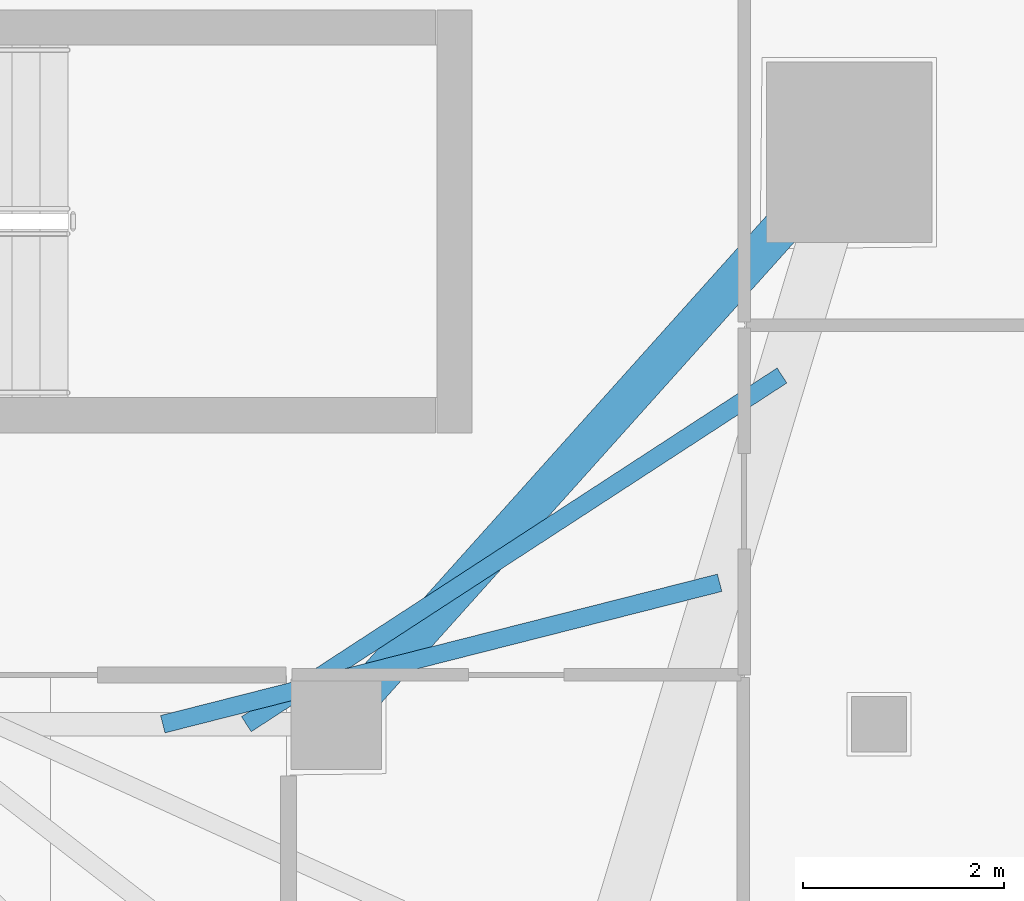
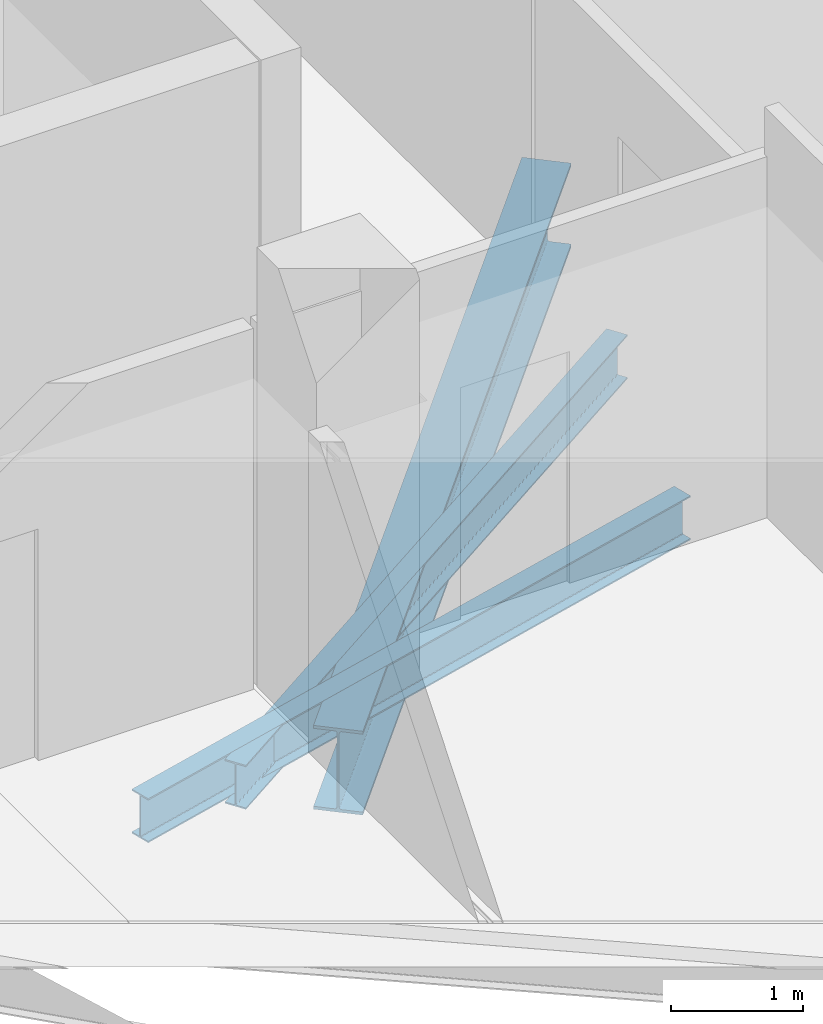
# One storey, part 13 of 36: 3 beams.
"""IFC4 building model written with IfcOpenShell, lengths in metres."""

from ifc_helpers import new_model, si_unit, direction, frame, origin, origin_2d, place, context, subcontext, project, spatial, i_section, extrude, material, material_profile, profile_set, type_object, element, save


model = new_model("IFC4")

# Units and contexts
model_context = context("Model", 3, precision=1e-05, world=origin(), true_north=direction((0.0, 1.0)))
body_context = subcontext(model_context, "Body", "Model", "MODEL_VIEW")
ifc_project = project(units=[si_unit("LENGTHUNIT", "METRE"), si_unit("AREAUNIT", "SQUARE_METRE"), si_unit("VOLUMEUNIT", "CUBIC_METRE"), si_unit("PLANEANGLEUNIT", "RADIAN"), si_unit("MASSUNIT", "GRAM", prefix="KILO")], contexts=[model_context])

# Site, building, storey
site_placement = place(None, origin())
site = spatial("IfcSite", under=ifc_project, at=site_placement, CompositionType="ELEMENT")
building_placement = place(site_placement, origin())
building = spatial("IfcBuilding", under=site, at=building_placement, Name="Qorvath Tower", CompositionType="ELEMENT")
storey_placement = place(building_placement, frame((0.0, 0.0, 229.35009765625)))
storey = spatial("IfcBuildingStorey", under=building, at=storey_placement, Name="L53", CompositionType="ELEMENT", Elevation=229.35009765625)

# Beams
ifc_material_1 = material(Name="Steel ASTM A992 Grade 50", Category="steel")
ifc_material_profile_1 = material_profile(ifc_material_1, i_section(OverallWidth=0.381103515625, OverallDepth=0.77294921875, WebThickness=0.0166015625, FlangeThickness=0.027099609375, FilletRadius=0.01904296875, at=origin_2d()), Name="W30x173")
ifc_profile_set_1 = profile_set([ifc_material_profile_1], Name="Steel ASTM A992 Grade 50")
beam_type_1 = type_object("IfcBeamType", Name="BM-FG3", PredefinedType="BEAM", material=ifc_profile_set_1)
beam_1_placement = place(storey_placement, frame((-17.199951171875, -11.449951171875, -0.656494140625), z_axis=(0.667543184261, 0.744571082669, 0.0), x_axis=(-0.744571082669, 0.667543184261, 0.0)))
element("IfcBeam", 1, at=beam_1_placement, inside=storey, type_object=beam_type_1, Name="Radial Floor Girder CC3-MC4 L53", PredefinedType="BEAM", context=body_context, shape_type="SweptSolid", body=[
    extrude(i_section(OverallWidth=0.381103515625, OverallDepth=0.77294921875, WebThickness=0.0166015625, FlangeThickness=0.027099609375, FilletRadius=0.01904296875, at=origin_2d()), origin(), (0.0, 0.0, 1.0), 7.644775390625),
])
ifc_material_2 = material(Name="Steel ASTM A992 Grade 50", Category="steel")
ifc_material_profile_2 = material_profile(ifc_material_2, i_section(OverallWidth=0.177978515625, OverallDepth=0.406005859375, WebThickness=0.0078125, FlangeThickness=0.0126953125, FilletRadius=0.010986328125, at=origin_2d()), Name="W16x40")
ifc_profile_set_2 = profile_set([ifc_material_profile_2], Name="Steel ASTM A992 Grade 50")
beam_type_2 = type_object("IfcBeamType", Name="BM-FJ3", PredefinedType="JOIST", material=ifc_profile_set_2)
beam_2_placement = place(storey_placement, frame((-18.095947265625, -11.449951171875, -0.472900390625), z_axis=(0.838041756057, 0.545606098853, 0.0), x_axis=(-0.545606098853, 0.838041756057, 0.0)))
element("IfcBeam", 2, at=beam_2_placement, inside=storey, type_object=beam_type_2, Name="Composite Floor Joist SE1 L53", PredefinedType="JOIST", context=body_context, shape_type="SweptSolid", body=[
    extrude(i_section(OverallWidth=0.177978515625, OverallDepth=0.406005859375, WebThickness=0.0078125, FlangeThickness=0.0126953125, FilletRadius=0.010986328125, at=origin_2d()), origin(), (0.0, 0.0, 1.0), 6.36083984375),
])
beam_3_placement = place(storey_placement, frame((-18.927978515625, -11.449951171875, -0.472900390625), z_axis=(0.969231577698, 0.246150662794, 0.0), x_axis=(-0.246150662794, 0.969231577698, 0.0)))
element("IfcBeam", 3, at=beam_3_placement, inside=storey, type_object=beam_type_2, Name="Composite Floor Joist SE2 L53", PredefinedType="JOIST", context=body_context, shape_type="SweptSolid", body=[
    extrude(i_section(OverallWidth=0.177978515625, OverallDepth=0.406005859375, WebThickness=0.0078125, FlangeThickness=0.0126953125, FilletRadius=0.010986328125, at=origin_2d()), origin(), (0.0, 0.0, 1.0), 5.718017578125),
])

save(model, "model.ifc")
